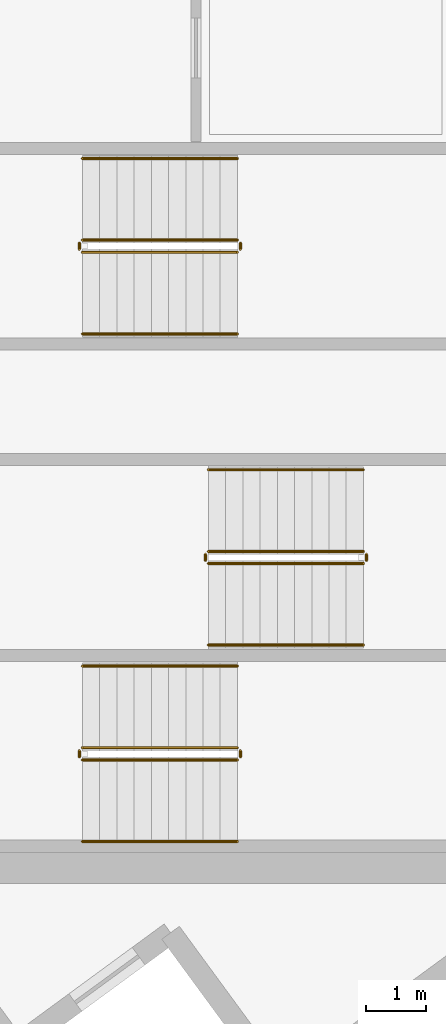
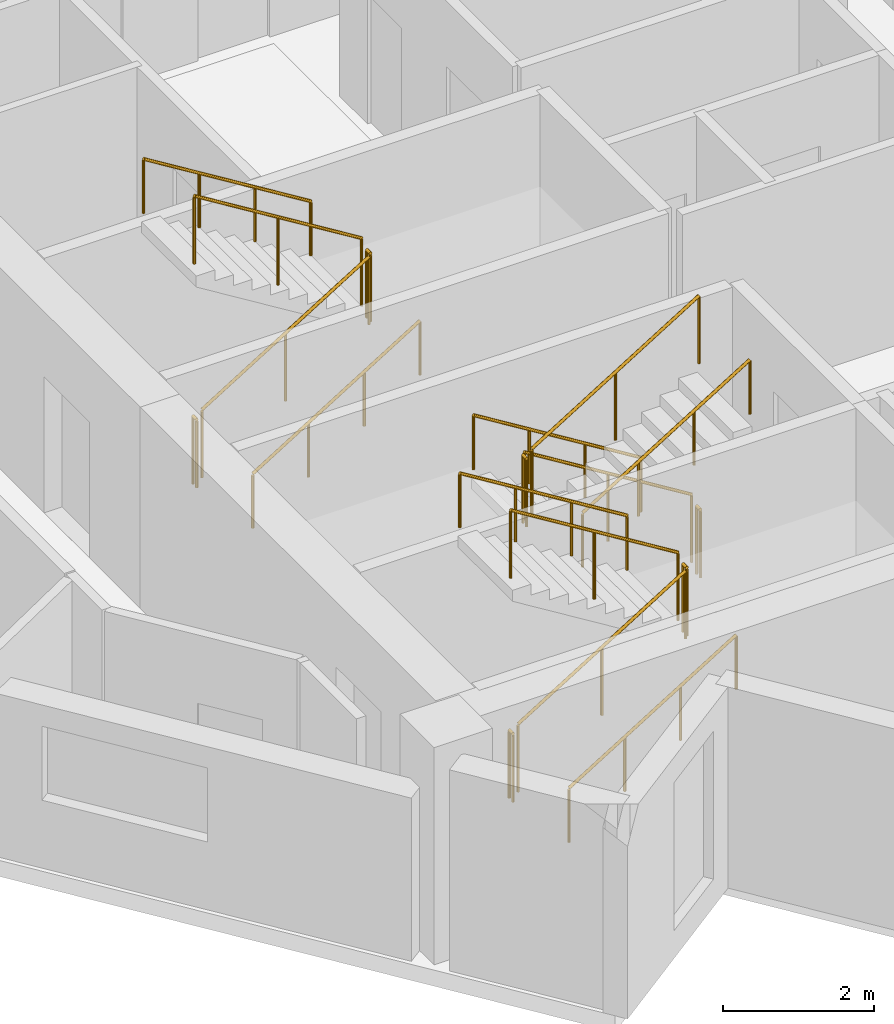
# One storey, part 12 of 13: 18 railings.
"""IFC4 building model written with IfcOpenShell, lengths in metres."""

from ifc_helpers import new_model, si_unit, direction, frame, origin, origin_2d, place, context, subcontext, project, spatial, circle, extrude, material, type_object, element, save


model = new_model("IFC4")

# Units and contexts
model_context = context("Model", 3, precision=1e-05, world=origin(), true_north=direction((0.0, 1.0)))
body_context = subcontext(model_context, "Body", "Model", "MODEL_VIEW")
ifc_project = project(units=[si_unit("LENGTHUNIT", "METRE"), si_unit("AREAUNIT", "SQUARE_METRE"), si_unit("VOLUMEUNIT", "CUBIC_METRE"), si_unit("PLANEANGLEUNIT", "RADIAN"), si_unit("MASSUNIT", "GRAM", prefix="KILO")], contexts=[model_context])

# Site, building, storey
site_placement = place(None, origin())
site = spatial("IfcSite", under=ifc_project, at=site_placement, CompositionType="ELEMENT")
building_placement = place(site_placement, origin())
building = spatial("IfcBuilding", under=site, at=building_placement, Name="Narakoshi Arena Tower", CompositionType="ELEMENT")
storey_placement = place(building_placement, frame((0.0, 0.0, 246.659912109375)))
storey = spatial("IfcBuildingStorey", under=building, at=storey_placement, Name="L67", CompositionType="ELEMENT", Elevation=246.659912109375)

# Railings
ifc_material_1 = material(Name="Clear low-iron laminated structural glass", Category="glass")
railing_type_1 = type_object("IfcRailingType", Name="RL-BAL-1100", PredefinedType="BALUSTRADE", material=ifc_material_1)
railing_1_placement = place(storey_placement, frame((74.39990234375, 36.949951171875, 0.176025390625)))
element("IfcRailing", 1, at=railing_1_placement, inside=storey, type_object=railing_type_1, Name="L67 ST1 stair guard 1", PredefinedType="BALUSTRADE", context=body_context, shape_type="SweptSolid", body=[
    extrude(circle(Radius=0.02392578125, at=origin_2d()), frame((0.0, 0.0, 1.09619140625), z_axis=(0.850856559306, 0.0, 0.525398054323), x_axis=(0.0, 1.0, 0.0)), (0.0, 0.0, 1.0), 3.014892578125),
    extrude(circle(Radius=0.02099609375, at=origin_2d()), origin(), (0.0, 0.0, 1.0), 1.072021484375),
    extrude(circle(Radius=0.02099609375, at=origin_2d()), frame((1.28271484375, 0.0, 0.7919921875)), (0.0, 0.0, 1.0), 1.072021484375),
    extrude(circle(Radius=0.02099609375, at=origin_2d()), frame((2.565185546875, 0.0, 1.583984375)), (0.0, 0.0, 1.0), 1.072021484375),
])
railing_2_placement = place(storey_placement, frame((77.014892578125, 37.0, 1.760009765625)))
element("IfcRailing", 2, at=railing_2_placement, inside=storey, type_object=railing_type_1, Name="L67 ST1 stair guard 2", PredefinedType="BALUSTRADE", context=body_context, shape_type="SweptSolid", body=[
    extrude(circle(Radius=0.02392578125, at=origin_2d()), frame((0.0, 0.0, 1.09619140625), z_axis=(0.0, 1.0, 0.0), x_axis=(-1.0, 0.0, 0.0)), (0.0, 0.0, 1.0), 0.10009765625),
    extrude(circle(Radius=0.02099609375, at=origin_2d()), origin(), (0.0, 0.0, 1.0), 1.072021484375),
    extrude(circle(Radius=0.02099609375, at=origin_2d()), frame((0.0, 0.10009765625, 0.0)), (0.0, 0.0, 1.0), 1.072021484375),
])
railing_3_placement = place(storey_placement, frame((76.965087890625, 37.14990234375, 1.93603515625)))
element("IfcRailing", 3, at=railing_3_placement, inside=storey, type_object=railing_type_1, Name="L67 ST1 stair guard 3", PredefinedType="BALUSTRADE", context=body_context, shape_type="SweptSolid", body=[
    extrude(circle(Radius=0.02392578125, at=origin_2d()), frame((0.0, 0.0, 1.09619140625), z_axis=(-0.850856559306, 0.0, 0.525398054323), x_axis=(0.0, -1.0, 0.0)), (0.0, 0.0, 1.0), 3.014892578125),
    extrude(circle(Radius=0.02099609375, at=origin_2d()), origin(), (0.0, 0.0, 1.0), 1.072021484375),
    extrude(circle(Radius=0.02099609375, at=origin_2d()), frame((-1.28271484375, 0.0, 0.7919921875)), (0.0, 0.0, 1.0), 1.072021484375),
    extrude(circle(Radius=0.02099609375, at=origin_2d()), frame((-2.565185546875, 0.0, 1.583984375)), (0.0, 0.0, 1.0), 1.072021484375),
])
railing_4_placement = place(storey_placement, frame((74.35009765625, 37.0, 0.0)))
element("IfcRailing", 4, at=railing_4_placement, inside=storey, type_object=railing_type_1, Name="L67 ST1 stair guard 4", PredefinedType="BALUSTRADE", context=body_context, shape_type="SweptSolid", body=[
    extrude(circle(Radius=0.02392578125, at=origin_2d()), frame((0.0, 0.0, 1.09619140625), z_axis=(0.0, 1.0, 0.0), x_axis=(-1.0, 0.0, 0.0)), (0.0, 0.0, 1.0), 0.10009765625),
    extrude(circle(Radius=0.02099609375, at=origin_2d()), origin(), (0.0, 0.0, 1.0), 1.072021484375),
    extrude(circle(Radius=0.02099609375, at=origin_2d()), frame((0.0, 0.10009765625, 0.0)), (0.0, 0.0, 1.0), 1.072021484375),
])
railing_5_placement = place(storey_placement, frame((79.050048828125, 40.39990234375, 0.176025390625)))
element("IfcRailing", 5, at=railing_5_placement, inside=storey, type_object=railing_type_1, Name="L67 ST2 stair guard 1", PredefinedType="BALUSTRADE", context=body_context, shape_type="SweptSolid", body=[
    extrude(circle(Radius=0.02392578125, at=origin_2d()), frame((0.0, 0.0, 1.09619140625), z_axis=(-0.850834203031, 0.0, 0.525434257497), x_axis=(0.0, -1.0, 0.0)), (0.0, 0.0, 1.0), 3.0146484375),
    extrude(circle(Radius=0.02099609375, at=origin_2d()), origin(), (0.0, 0.0, 1.0), 1.072021484375),
    extrude(circle(Radius=0.02099609375, at=origin_2d()), frame((-1.282470703125, 0.0, 0.7919921875)), (0.0, 0.0, 1.0), 1.072021484375),
    extrude(circle(Radius=0.02099609375, at=origin_2d()), frame((-2.56494140625, 0.0, 1.583984375)), (0.0, 0.0, 1.0), 1.072021484375),
])
railing_6_placement = place(storey_placement, frame((76.43505859375, 40.35009765625, 1.760009765625)))
element("IfcRailing", 6, at=railing_6_placement, inside=storey, type_object=railing_type_1, Name="L67 ST2 stair guard 2", PredefinedType="BALUSTRADE", context=body_context, shape_type="SweptSolid", body=[
    extrude(circle(Radius=0.02392578125, at=origin_2d()), frame((0.0, 0.0, 1.09619140625), z_axis=(0.0, -1.0, 0.0), x_axis=(1.0, 0.0, 0.0)), (0.0, 0.0, 1.0), 0.10009765625),
    extrude(circle(Radius=0.02099609375, at=origin_2d()), origin(), (0.0, 0.0, 1.0), 1.072021484375),
    extrude(circle(Radius=0.02099609375, at=origin_2d()), frame((0.0, -0.10009765625, 0.0)), (0.0, 0.0, 1.0), 1.072021484375),
])
railing_7_placement = place(storey_placement, frame((76.485107421875, 40.199951171875, 1.93603515625)))
element("IfcRailing", 7, at=railing_7_placement, inside=storey, type_object=railing_type_1, Name="L67 ST2 stair guard 3", PredefinedType="BALUSTRADE", context=body_context, shape_type="SweptSolid", body=[
    extrude(circle(Radius=0.02392578125, at=origin_2d()), frame((0.0, 0.0, 1.09619140625), z_axis=(0.850834203031, 0.0, 0.525434257497), x_axis=(0.0, 1.0, 0.0)), (0.0, 0.0, 1.0), 3.0146484375),
    extrude(circle(Radius=0.02099609375, at=origin_2d()), origin(), (0.0, 0.0, 1.0), 1.072021484375),
    extrude(circle(Radius=0.02099609375, at=origin_2d()), frame((1.282470703125, 0.0, 0.7919921875)), (0.0, 0.0, 1.0), 1.072021484375),
    extrude(circle(Radius=0.02099609375, at=origin_2d()), frame((2.56494140625, 0.0, 1.583984375)), (0.0, 0.0, 1.0), 1.072021484375),
])
railing_8_placement = place(storey_placement, frame((79.10009765625, 40.35009765625, 0.0)))
element("IfcRailing", 8, at=railing_8_placement, inside=storey, type_object=railing_type_1, Name="L67 ST2 stair guard 4", PredefinedType="BALUSTRADE", context=body_context, shape_type="SweptSolid", body=[
    extrude(circle(Radius=0.02392578125, at=origin_2d()), frame((0.0, 0.0, 1.09619140625), z_axis=(0.0, -1.0, 0.0), x_axis=(1.0, 0.0, 0.0)), (0.0, 0.0, 1.0), 0.10009765625),
    extrude(circle(Radius=0.02099609375, at=origin_2d()), origin(), (0.0, 0.0, 1.0), 1.072021484375),
    extrude(circle(Radius=0.02099609375, at=origin_2d()), frame((0.0, -0.10009765625, 0.0)), (0.0, 0.0, 1.0), 1.072021484375),
])
railing_9_placement = place(storey_placement, frame((74.39990234375, 45.35009765625, 0.176025390625)))
element("IfcRailing", 9, at=railing_9_placement, inside=storey, type_object=railing_type_1, Name="L67 ST3 stair guard 1", PredefinedType="BALUSTRADE", context=body_context, shape_type="SweptSolid", body=[
    extrude(circle(Radius=0.02392578125, at=origin_2d()), frame((0.0, 0.0, 1.09619140625), z_axis=(0.850856559306, 0.0, 0.525398054323), x_axis=(0.0, 1.0, 0.0)), (0.0, 0.0, 1.0), 3.014892578125),
    extrude(circle(Radius=0.02099609375, at=origin_2d()), origin(), (0.0, 0.0, 1.0), 1.072021484375),
    extrude(circle(Radius=0.02099609375, at=origin_2d()), frame((1.28271484375, 0.0, 0.7919921875)), (0.0, 0.0, 1.0), 1.072021484375),
    extrude(circle(Radius=0.02099609375, at=origin_2d()), frame((2.565185546875, 0.0, 1.583984375)), (0.0, 0.0, 1.0), 1.072021484375),
])
railing_10_placement = place(storey_placement, frame((77.014892578125, 45.39990234375, 1.760009765625)))
element("IfcRailing", 10, at=railing_10_placement, inside=storey, type_object=railing_type_1, Name="L67 ST3 stair guard 2", PredefinedType="BALUSTRADE", context=body_context, shape_type="SweptSolid", body=[
    extrude(circle(Radius=0.02392578125, at=origin_2d()), frame((0.0, 0.0, 1.09619140625), z_axis=(0.0, 1.0, 0.0), x_axis=(-1.0, 0.0, 0.0)), (0.0, 0.0, 1.0), 0.10009765625),
    extrude(circle(Radius=0.02099609375, at=origin_2d()), origin(), (0.0, 0.0, 1.0), 1.072021484375),
    extrude(circle(Radius=0.02099609375, at=origin_2d()), frame((0.0, 0.10009765625, 0.0)), (0.0, 0.0, 1.0), 1.072021484375),
])
railing_11_placement = place(storey_placement, frame((76.965087890625, 45.550048828125, 1.93603515625)))
element("IfcRailing", 11, at=railing_11_placement, inside=storey, type_object=railing_type_1, Name="L67 ST3 stair guard 3", PredefinedType="BALUSTRADE", context=body_context, shape_type="SweptSolid", body=[
    extrude(circle(Radius=0.02392578125, at=origin_2d()), frame((0.0, 0.0, 1.09619140625), z_axis=(-0.850856559306, 0.0, 0.525398054323), x_axis=(0.0, -1.0, 0.0)), (0.0, 0.0, 1.0), 3.014892578125),
    extrude(circle(Radius=0.02099609375, at=origin_2d()), origin(), (0.0, 0.0, 1.0), 1.072021484375),
    extrude(circle(Radius=0.02099609375, at=origin_2d()), frame((-1.28271484375, 0.0, 0.7919921875)), (0.0, 0.0, 1.0), 1.072021484375),
    extrude(circle(Radius=0.02099609375, at=origin_2d()), frame((-2.565185546875, 0.0, 1.583984375)), (0.0, 0.0, 1.0), 1.072021484375),
])
railing_12_placement = place(storey_placement, frame((74.35009765625, 45.39990234375, 0.0)))
element("IfcRailing", 12, at=railing_12_placement, inside=storey, type_object=railing_type_1, Name="L67 ST3 stair guard 4", PredefinedType="BALUSTRADE", context=body_context, shape_type="SweptSolid", body=[
    extrude(circle(Radius=0.02392578125, at=origin_2d()), frame((0.0, 0.0, 1.09619140625), z_axis=(0.0, 1.0, 0.0), x_axis=(-1.0, 0.0, 0.0)), (0.0, 0.0, 1.0), 0.10009765625),
    extrude(circle(Radius=0.02099609375, at=origin_2d()), origin(), (0.0, 0.0, 1.0), 1.072021484375),
    extrude(circle(Radius=0.02099609375, at=origin_2d()), frame((0.0, 0.10009765625, 0.0)), (0.0, 0.0, 1.0), 1.072021484375),
])
ifc_material_2 = material(Name="Brushed bronze stainless steel", Category="steel")
railing_type_2 = type_object("IfcRailingType", Name="RL-HND-900", PredefinedType="HANDRAIL", material=ifc_material_2)
railing_13_placement = place(storey_placement, frame((74.39990234375, 35.60009765625, 0.176025390625)))
element("IfcRailing", 13, at=railing_13_placement, inside=storey, type_object=railing_type_2, Name="L67 ST1 stair handrail 1", PredefinedType="HANDRAIL", context=body_context, shape_type="SweptSolid", body=[
    extrude(circle(Radius=0.02392578125, at=origin_2d()), frame((0.0, 0.0, 0.8759765625), z_axis=(0.850856559306, 0.0, 0.525398054323), x_axis=(0.0, 1.0, 0.0)), (0.0, 0.0, 1.0), 3.014892578125),
    extrude(circle(Radius=0.02099609375, at=origin_2d()), origin(), (0.0, 0.0, 1.0), 0.851806640625),
    extrude(circle(Radius=0.02099609375, at=origin_2d()), frame((0.85498046875, 0.0, 0.528076171875)), (0.0, 0.0, 1.0), 0.851806640625),
    extrude(circle(Radius=0.02099609375, at=origin_2d()), frame((1.710205078125, 0.0, 1.055908203125)), (0.0, 0.0, 1.0), 0.851806640625),
    extrude(circle(Radius=0.02099609375, at=origin_2d()), frame((2.565185546875, 0.0, 1.583984375)), (0.0, 0.0, 1.0), 0.851806640625),
])
railing_14_placement = place(storey_placement, frame((76.965087890625, 38.5, 1.93603515625)))
element("IfcRailing", 14, at=railing_14_placement, inside=storey, type_object=railing_type_2, Name="L67 ST1 stair handrail 2", PredefinedType="HANDRAIL", context=body_context, shape_type="SweptSolid", body=[
    extrude(circle(Radius=0.02392578125, at=origin_2d()), frame((0.0, 0.0, 0.8759765625), z_axis=(-0.850856559306, 0.0, 0.525398054323), x_axis=(0.0, -1.0, 0.0)), (0.0, 0.0, 1.0), 3.014892578125),
    extrude(circle(Radius=0.02099609375, at=origin_2d()), origin(), (0.0, 0.0, 1.0), 0.851806640625),
    extrude(circle(Radius=0.02099609375, at=origin_2d()), frame((-0.85498046875, 0.0, 0.528076171875)), (0.0, 0.0, 1.0), 0.851806640625),
    extrude(circle(Radius=0.02099609375, at=origin_2d()), frame((-1.710205078125, 0.0, 1.055908203125)), (0.0, 0.0, 1.0), 0.851806640625),
    extrude(circle(Radius=0.02099609375, at=origin_2d()), frame((-2.565185546875, 0.0, 1.583984375)), (0.0, 0.0, 1.0), 0.851806640625),
])
railing_15_placement = place(storey_placement, frame((79.050048828125, 41.75, 0.176025390625)))
element("IfcRailing", 15, at=railing_15_placement, inside=storey, type_object=railing_type_2, Name="L67 ST2 stair handrail 1", PredefinedType="HANDRAIL", context=body_context, shape_type="SweptSolid", body=[
    extrude(circle(Radius=0.02392578125, at=origin_2d()), frame((0.0, 0.0, 0.8759765625), z_axis=(-0.850834203031, 0.0, 0.525434257497), x_axis=(0.0, -1.0, 0.0)), (0.0, 0.0, 1.0), 3.0146484375),
    extrude(circle(Radius=0.02099609375, at=origin_2d()), origin(), (0.0, 0.0, 1.0), 0.851806640625),
    extrude(circle(Radius=0.02099609375, at=origin_2d()), frame((-0.85498046875, 0.0, 0.528076171875)), (0.0, 0.0, 1.0), 0.851806640625),
    extrude(circle(Radius=0.02099609375, at=origin_2d()), frame((-1.7099609375, 0.0, 1.055908203125)), (0.0, 0.0, 1.0), 0.851806640625),
    extrude(circle(Radius=0.02099609375, at=origin_2d()), frame((-2.56494140625, 0.0, 1.583984375)), (0.0, 0.0, 1.0), 0.851806640625),
])
railing_16_placement = place(storey_placement, frame((76.485107421875, 38.85009765625, 1.93603515625)))
element("IfcRailing", 16, at=railing_16_placement, inside=storey, type_object=railing_type_2, Name="L67 ST2 stair handrail 2", PredefinedType="HANDRAIL", context=body_context, shape_type="SweptSolid", body=[
    extrude(circle(Radius=0.02392578125, at=origin_2d()), frame((0.0, 0.0, 0.8759765625), z_axis=(0.850834203031, 0.0, 0.525434257497), x_axis=(0.0, 1.0, 0.0)), (0.0, 0.0, 1.0), 3.0146484375),
    extrude(circle(Radius=0.02099609375, at=origin_2d()), origin(), (0.0, 0.0, 1.0), 0.851806640625),
    extrude(circle(Radius=0.02099609375, at=origin_2d()), frame((0.85498046875, 0.0, 0.528076171875)), (0.0, 0.0, 1.0), 0.851806640625),
    extrude(circle(Radius=0.02099609375, at=origin_2d()), frame((1.7099609375, 0.0, 1.055908203125)), (0.0, 0.0, 1.0), 0.851806640625),
    extrude(circle(Radius=0.02099609375, at=origin_2d()), frame((2.56494140625, 0.0, 1.583984375)), (0.0, 0.0, 1.0), 0.851806640625),
])
railing_17_placement = place(storey_placement, frame((74.39990234375, 44.0, 0.176025390625)))
element("IfcRailing", 17, at=railing_17_placement, inside=storey, type_object=railing_type_2, Name="L67 ST3 stair handrail 1", PredefinedType="HANDRAIL", context=body_context, shape_type="SweptSolid", body=[
    extrude(circle(Radius=0.02392578125, at=origin_2d()), frame((0.0, 0.0, 0.8759765625), z_axis=(0.850856559306, 0.0, 0.525398054323), x_axis=(0.0, 1.0, 0.0)), (0.0, 0.0, 1.0), 3.014892578125),
    extrude(circle(Radius=0.02099609375, at=origin_2d()), origin(), (0.0, 0.0, 1.0), 0.851806640625),
    extrude(circle(Radius=0.02099609375, at=origin_2d()), frame((0.85498046875, 0.0, 0.528076171875)), (0.0, 0.0, 1.0), 0.851806640625),
    extrude(circle(Radius=0.02099609375, at=origin_2d()), frame((1.710205078125, 0.0, 1.055908203125)), (0.0, 0.0, 1.0), 0.851806640625),
    extrude(circle(Radius=0.02099609375, at=origin_2d()), frame((2.565185546875, 0.0, 1.583984375)), (0.0, 0.0, 1.0), 0.851806640625),
])
railing_18_placement = place(storey_placement, frame((76.965087890625, 46.89990234375, 1.93603515625)))
element("IfcRailing", 18, at=railing_18_placement, inside=storey, type_object=railing_type_2, Name="L67 ST3 stair handrail 2", PredefinedType="HANDRAIL", context=body_context, shape_type="SweptSolid", body=[
    extrude(circle(Radius=0.02392578125, at=origin_2d()), frame((0.0, 0.0, 0.8759765625), z_axis=(-0.850856559306, 0.0, 0.525398054323), x_axis=(0.0, -1.0, 0.0)), (0.0, 0.0, 1.0), 3.014892578125),
    extrude(circle(Radius=0.02099609375, at=origin_2d()), origin(), (0.0, 0.0, 1.0), 0.851806640625),
    extrude(circle(Radius=0.02099609375, at=origin_2d()), frame((-0.85498046875, 0.0, 0.528076171875)), (0.0, 0.0, 1.0), 0.851806640625),
    extrude(circle(Radius=0.02099609375, at=origin_2d()), frame((-1.710205078125, 0.0, 1.055908203125)), (0.0, 0.0, 1.0), 0.851806640625),
    extrude(circle(Radius=0.02099609375, at=origin_2d()), frame((-2.565185546875, 0.0, 1.583984375)), (0.0, 0.0, 1.0), 0.851806640625),
])

save(model, "model.ifc")
